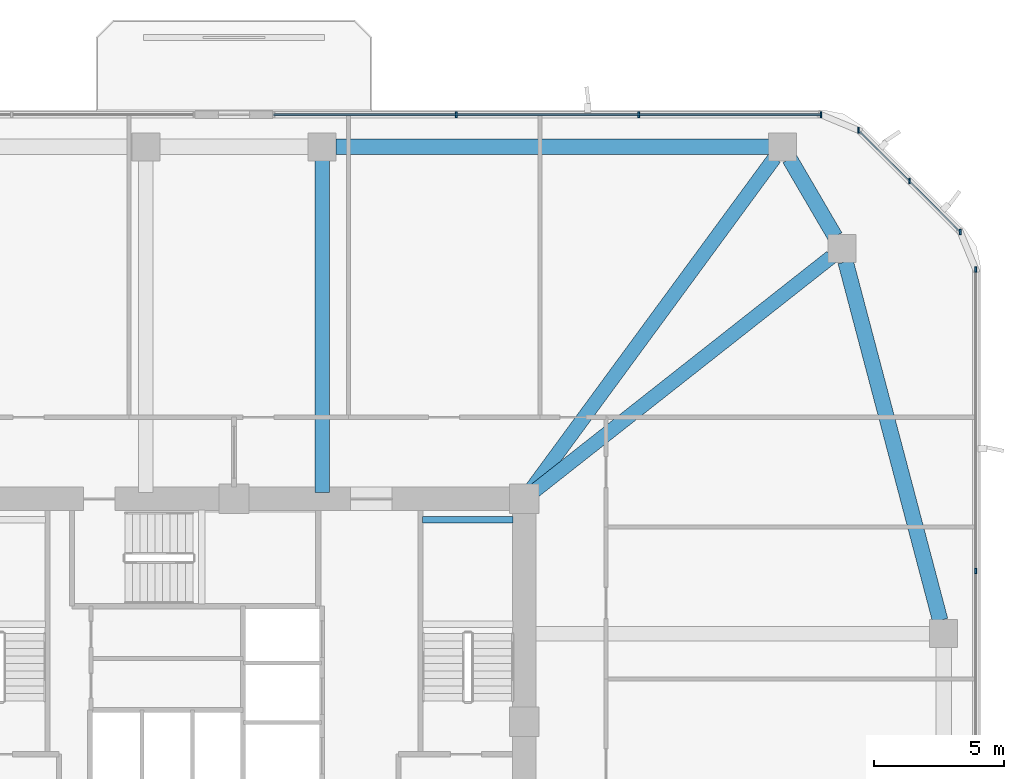
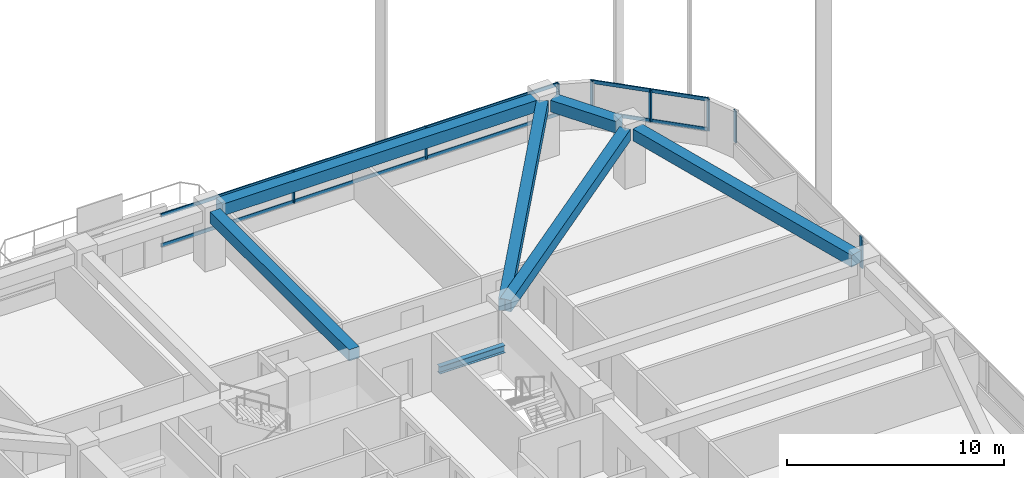
# One storey, part 7 of 17: 12 members, 7 beams, 3 elements without a shape of their own.
"""IFC4 building model written with IfcOpenShell, lengths in metres."""

from ifc_helpers import new_model, si_unit, derived_unit, direction, frame, origin, origin_2d, place, context, subcontext, project, spatial, rectangle, i_section, extrude, material, material_profile, profile_set, type_object, element, aggregate, save


model = new_model("IFC4")

# Units and contexts
model_context = context("Model", 3, precision=1e-05, world=origin(), true_north=direction((0.0, 1.0)))
body_context = subcontext(model_context, "Body", "Model", "MODEL_VIEW")
ifc_project = project(units=[si_unit("LENGTHUNIT", "METRE"), si_unit("AREAUNIT", "SQUARE_METRE"), si_unit("VOLUMEUNIT", "CUBIC_METRE"), si_unit("PLANEANGLEUNIT", "RADIAN"), si_unit("MASSUNIT", "GRAM", prefix="KILO"), derived_unit("THERMALTRANSMITTANCEUNIT", [(si_unit("POWERUNIT", "WATT"), 1), (si_unit("LENGTHUNIT", "METRE"), -2), (si_unit("THERMODYNAMICTEMPERATUREUNIT", "KELVIN"), -1)])], contexts=[model_context])

# Site, building, storey
site_placement = place(None, origin())
site = spatial("IfcSite", under=ifc_project, at=site_placement, CompositionType="ELEMENT")
building_placement = place(site_placement, origin())
building = spatial("IfcBuilding", under=site, at=building_placement, Name="Koralith Skygarden Medical Center", CompositionType="ELEMENT")
storey_placement = place(building_placement, frame((0.0, 0.0, 67.139892578125)))
storey = spatial("IfcBuildingStorey", under=building, at=storey_placement, Name="L17", CompositionType="ELEMENT", Elevation=67.139892578125)

# Curtain wall, members
ifc_material_1 = material(Name="Clear Laminated Glass", Category="glass")
curtain_wall_type = type_object("IfcCurtainWallType", Name="CW-2 Zone 1 Hurricane Unitised Curtain Wall", PredefinedType="NOTDEFINED", material=ifc_material_1)
curtain_wall_1_placement = place(storey_placement, origin())
curtain_wall_1 = element("IfcCurtainWall", 1, at=curtain_wall_1_placement, inside=storey, type_object=curtain_wall_type, Name="Curtain Wall CW-L17-E", PredefinedType="NOTDEFINED")
ifc_material_2 = material(Name="Aluminium 6063-T6", Category="aluminium")
ifc_material_profile_1 = material_profile(ifc_material_2, rectangle(XDim=0.071044921875, YDim=0.219970703125, at=origin_2d()), Name="MUL71X220")
ifc_profile_set_1 = profile_set([ifc_material_profile_1], Name="Aluminium 6063-T6")
member_type_1 = type_object("IfcMemberType", Name="CW-2 Extruded Mullion 71x220", PredefinedType="MULLION", material=ifc_profile_set_1)
member_1_placement = place(storey_placement, frame((65.6201171875, 31.715087890625, 0.85009765625), z_axis=(0.0, 0.0, 1.0), x_axis=(1.0, 0.0, 0.0)))
member_1 = element("IfcMember", 2, at=member_1_placement, type_object=member_type_1, Name="CW-L17-E Mullion 3", PredefinedType="MULLION", context=body_context, shape_type="SweptSolid", body=[
    extrude(rectangle(XDim=0.071044921875, YDim=0.219970703125, at=origin_2d()), origin(), (0.0, 0.0, 1.0), 1.780029296875),
])
member_2_placement = place(storey_placement, frame((65.6201171875, 43.344970703125, 0.85009765625), z_axis=(0.0, 0.0, 1.0), x_axis=(1.0, 0.0, 0.0)))
member_2 = element("IfcMember", 3, at=member_2_placement, type_object=member_type_1, Name="CW-L17-E Mullion 4", PredefinedType="MULLION", context=body_context, shape_type="SweptSolid", body=[
    extrude(rectangle(XDim=0.071044921875, YDim=0.219970703125, at=origin_2d()), origin(), (0.0, 0.0, 1.0), 1.780029296875),
])
aggregate(curtain_wall_1, [member_1, member_2])

curtain_wall_2_placement = place(storey_placement, origin())
curtain_wall_2 = element("IfcCurtainWall", 4, at=curtain_wall_2_placement, inside=storey, type_object=curtain_wall_type, Name="Curtain Wall CW-L17-NE", PredefinedType="NOTDEFINED")
member_3_placement = place(storey_placement, frame((65.01904296875, 44.7958984375, 0.85009765625), z_axis=(0.0, 0.0, 1.0), x_axis=(1.0, 0.0, 0.0)))
member_3 = element("IfcMember", 5, at=member_3_placement, type_object=member_type_1, Name="CW-L17-NE Mullion 1", PredefinedType="MULLION", context=body_context, shape_type="SweptSolid", body=[
    extrude(rectangle(XDim=0.071044921875, YDim=0.219970703125, at=origin_2d()), origin(), (0.0, 0.0, 1.0), 1.780029296875),
])
member_4_placement = place(storey_placement, frame((63.05810546875, 46.758056640625, 0.85009765625), z_axis=(0.0, 0.0, 1.0), x_axis=(1.0, 0.0, 0.0)))
member_4 = element("IfcMember", 6, at=member_4_placement, type_object=member_type_1, Name="CW-L17-NE Mullion 2", PredefinedType="MULLION", context=body_context, shape_type="SweptSolid", body=[
    extrude(rectangle(XDim=0.071044921875, YDim=0.219970703125, at=origin_2d()), origin(), (0.0, 0.0, 1.0), 1.780029296875),
])
member_5_placement = place(storey_placement, frame((61.095947265625, 48.718994140625, 0.85009765625), z_axis=(0.0, 0.0, 1.0), x_axis=(1.0, 0.0, 0.0)))
member_5 = element("IfcMember", 7, at=member_5_placement, type_object=member_type_1, Name="CW-L17-NE Mullion 3", PredefinedType="MULLION", context=body_context, shape_type="SweptSolid", body=[
    extrude(rectangle(XDim=0.071044921875, YDim=0.219970703125, at=origin_2d()), origin(), (0.0, 0.0, 1.0), 1.780029296875),
])

curtain_wall_3_placement = place(storey_placement, origin())
curtain_wall_3 = element("IfcCurtainWall", 8, at=curtain_wall_3_placement, inside=storey, type_object=curtain_wall_type, Name="Curtain Wall CW-L17-N-L", PredefinedType="NOTDEFINED")
member_6_placement = place(storey_placement, frame((59.64501953125, 49.320068359375, 0.85009765625), z_axis=(0.0, 0.0, 1.0), x_axis=(1.0, 0.0, 0.0)))
member_6 = element("IfcMember", 9, at=member_6_placement, type_object=member_type_1, Name="CW-L17-N-L Mullion 1", PredefinedType="MULLION", context=body_context, shape_type="SweptSolid", body=[
    extrude(rectangle(XDim=0.071044921875, YDim=0.219970703125, at=origin_2d()), origin(), (0.0, 0.0, 1.0), 1.780029296875),
])
member_7_placement = place(storey_placement, frame((52.610107421875, 49.320068359375, 0.85009765625), z_axis=(0.0, 0.0, 1.0), x_axis=(1.0, 0.0, 0.0)))
member_7 = element("IfcMember", 10, at=member_7_placement, type_object=member_type_1, Name="CW-L17-N-L Mullion 2", PredefinedType="MULLION", context=body_context, shape_type="SweptSolid", body=[
    extrude(rectangle(XDim=0.071044921875, YDim=0.219970703125, at=origin_2d()), origin(), (0.0, 0.0, 1.0), 1.780029296875),
])
member_8_placement = place(storey_placement, frame((45.574951171875, 49.320068359375, 0.85009765625), z_axis=(0.0, 0.0, 1.0), x_axis=(1.0, 0.0, 0.0)))
member_8 = element("IfcMember", 11, at=member_8_placement, type_object=member_type_1, Name="CW-L17-N-L Mullion 3", PredefinedType="MULLION", context=body_context, shape_type="SweptSolid", body=[
    extrude(rectangle(XDim=0.071044921875, YDim=0.219970703125, at=origin_2d()), origin(), (0.0, 0.0, 1.0), 1.780029296875),
])

# Member
ifc_material_profile_2 = material_profile(ifc_material_2, rectangle(XDim=0.06591796875, YDim=0.197998046875, at=origin_2d()), Name="TRN66X198")
ifc_profile_set_2 = profile_set([ifc_material_profile_2], Name="Aluminium 6063-T6")
member_type_2 = type_object("IfcMemberType", Name="CW-2 Thermal Transom 66x198", PredefinedType="USERDEFINED", material=ifc_profile_set_2)
member_9_placement = place(storey_placement, frame((65.01904296875, 44.7958984375, 0.900146484375), z_axis=(-0.707106781187, 0.707106781187, 0.0), x_axis=(-0.707106781187, -0.707106781187, 0.0)))
member_9 = element("IfcMember", 12, at=member_9_placement, type_object=member_type_2, Name="CW-L17-NE Transom 1", ObjectType="TRANSOM", PredefinedType="USERDEFINED", context=body_context, shape_type="SweptSolid", body=[
    extrude(rectangle(XDim=0.06591796875, YDim=0.197998046875, at=origin_2d()), origin(), (0.0, 0.0, 1.0), 5.548095703125),
])

member_10_placement = place(storey_placement, frame((65.01904296875, 44.7958984375, 2.580078125), z_axis=(-0.707106781187, 0.707106781187, 0.0), x_axis=(-0.707106781187, -0.707106781187, 0.0)))
member_10 = element("IfcMember", 13, at=member_10_placement, type_object=member_type_2, Name="CW-L17-NE Transom 2", ObjectType="TRANSOM", PredefinedType="USERDEFINED", context=body_context, shape_type="SweptSolid", body=[
    extrude(rectangle(XDim=0.06591796875, YDim=0.197998046875, at=origin_2d()), origin(), (0.0, 0.0, 1.0), 5.548095703125),
])

aggregate(curtain_wall_2, [member_3, member_4, member_5, member_9, member_10])

member_11_placement = place(storey_placement, frame((59.64501953125, 49.320068359375, 0.900146484375), z_axis=(-1.0, 0.0, 0.0), x_axis=(0.0, -1.0, 0.0)))
member_11 = element("IfcMember", 14, at=member_11_placement, type_object=member_type_2, Name="CW-L17-N-L Transom 1", ObjectType="TRANSOM", PredefinedType="USERDEFINED", context=body_context, shape_type="SweptSolid", body=[
    extrude(rectangle(XDim=0.06591796875, YDim=0.197998046875, at=origin_2d()), origin(), (0.0, 0.0, 1.0), 21.10498046875),
])

member_12_placement = place(storey_placement, frame((59.64501953125, 49.320068359375, 2.580078125), z_axis=(-1.0, 0.0, 0.0), x_axis=(0.0, -1.0, 0.0)))
member_12 = element("IfcMember", 15, at=member_12_placement, type_object=member_type_2, Name="CW-L17-N-L Transom 2", ObjectType="TRANSOM", PredefinedType="USERDEFINED", context=body_context, shape_type="SweptSolid", body=[
    extrude(rectangle(XDim=0.06591796875, YDim=0.197998046875, at=origin_2d()), origin(), (0.0, 0.0, 1.0), 21.10498046875),
])

aggregate(curtain_wall_3, [member_6, member_7, member_8, member_11, member_12])

# Beams
ifc_material_3 = material(Name="Steel ASTM A992 Grade 50", Category="steel")
ifc_material_profile_3 = material_profile(ifc_material_3, i_section(OverallWidth=0.260009765625, OverallDepth=0.4150390625, WebThickness=0.010009765625, FlangeThickness=0.016845703125, at=origin_2d()), Name="W16X67")
ifc_profile_set_3 = profile_set([ifc_material_profile_3], Name="Steel ASTM A992 Grade 50")
beam_type_1 = type_object("IfcBeamType", Name="Clinical Floor Joist W16X67", PredefinedType="JOIST", material=ifc_profile_set_3)
beam_1_placement = place(storey_placement, frame((44.280029296875, 33.699951171875, 1.39208984375), z_axis=(1.0, 0.0, 0.0), x_axis=(0.0, 1.0, 0.0)))
element("IfcBeam", 16, at=beam_1_placement, inside=storey, type_object=beam_type_1, Name="L17 Stair ST2 Half-Landing Support Beam 1B", PredefinedType="JOIST", context=body_context, shape_type="SweptSolid", body=[
    extrude(i_section(OverallWidth=0.260009765625, OverallDepth=0.4150390625, WebThickness=0.010009765625, FlangeThickness=0.016845703125, at=origin_2d()), origin(), (0.0, 0.0, 1.0), 3.489990234375),
])
ifc_material_4 = material(Name="Concrete C45/55", Category="concrete")
ifc_material_profile_4 = material_profile(ifc_material_4, rectangle(XDim=0.550048828125, YDim=0.639892578125, at=origin_2d()), Name="RCB550X640")
ifc_profile_set_4 = profile_set([ifc_material_profile_4], Name="Concrete C45/55")
beam_type_2 = type_object("IfcBeamType", Name="Radial Collector Beam RCB550X640", PredefinedType="BEAM", material=ifc_profile_set_4)
beam_2_placement = place(storey_placement, frame((48.39599609375, 34.655029296875, 2.980224609375), z_axis=(0.785497250365, 0.618865146594, 0.0), x_axis=(-0.618865146594, 0.785497250365, 0.0)))
element("IfcBeam", 17, at=beam_2_placement, inside=storey, type_object=beam_type_2, Name="L17 Radial Collector Beam RB-10", PredefinedType="BEAM", context=body_context, shape_type="SweptSolid", body=[
    extrude(rectangle(XDim=0.550048828125, YDim=0.639892578125, at=origin_2d()), origin(), (0.0, 0.0, 1.0), 14.828857421875),
])
beam_3_placement = place(storey_placement, frame((48.347900390625, 34.701904296875, 2.980224609375), z_axis=(0.591710803277, 0.806150311843, 0.0), x_axis=(-0.806150311843, 0.591710803277, 0.0)))
element("IfcBeam", 18, at=beam_3_placement, inside=storey, type_object=beam_type_2, Name="L17 Radial Collector Beam RB-11", PredefinedType="BEAM", context=body_context, shape_type="SweptSolid", body=[
    extrude(rectangle(XDim=0.550048828125, YDim=0.639892578125, at=origin_2d()), origin(), (0.0, 0.0, 1.0), 16.0654296875),
])
beam_4_placement = place(storey_placement, frame((40.39990234375, 34.75, 2.980224609375), z_axis=(0.0, 1.0, 0.0), x_axis=(-1.0, 0.0, 0.0)))
element("IfcBeam", 19, at=beam_4_placement, inside=storey, type_object=beam_type_2, Name="L17 Radial Collector Beam RB-12", PredefinedType="BEAM", context=body_context, shape_type="SweptSolid", body=[
    extrude(rectangle(XDim=0.550048828125, YDim=0.639892578125, at=origin_2d()), origin(), (0.0, 0.0, 1.0), 12.800048828125),
])
ifc_material_profile_5 = material_profile(ifc_material_4, rectangle(XDim=0.60009765625, YDim=0.659912109375, at=origin_2d()), Name="RCB600X660")
ifc_profile_set_5 = profile_set([ifc_material_profile_5], Name="Concrete C45/55")
beam_type_3 = type_object("IfcBeamType", Name="Zone 1 Spandrel Beam RCB600X660", PredefinedType="SPANDREL", material=ifc_profile_set_5)
beam_5_placement = place(storey_placement, frame((64.2451171875, 29.81201171875, 2.97021484375), z_axis=(-0.255088684842, 0.966917660851, 0.0), x_axis=(-0.966917660851, -0.255088684842, 0.0)))
element("IfcBeam", 20, at=beam_5_placement, inside=storey, type_object=beam_type_3, Name="L17 Perimeter Spandrel Beam SP-09", PredefinedType="SPANDREL", context=body_context, shape_type="SweptSolid", body=[
    extrude(rectangle(XDim=0.60009765625, YDim=0.659912109375, at=origin_2d()), origin(), (0.0, 0.0, 1.0), 14.309326171875),
])
beam_6_placement = place(storey_placement, frame((60.19189453125, 44.617919921875, 2.97021484375), z_axis=(-0.504608092658, 0.863348523381, 0.0), x_axis=(-0.863348523381, -0.504608092658, 0.0)))
element("IfcBeam", 21, at=beam_6_placement, inside=storey, type_object=beam_type_3, Name="L17 Perimeter Spandrel Beam SP-10", PredefinedType="SPANDREL", context=body_context, shape_type="SweptSolid", body=[
    extrude(rectangle(XDim=0.60009765625, YDim=0.659912109375, at=origin_2d()), origin(), (0.0, 0.0, 1.0), 3.479736328125),
])
beam_7_placement = place(storey_placement, frame((57.637939453125, 48.080078125, 2.97021484375), z_axis=(-1.0, 0.0, 0.0), x_axis=(0.0, -1.0, 0.0)))
element("IfcBeam", 22, at=beam_7_placement, inside=storey, type_object=beam_type_3, Name="L17 Perimeter Spandrel Beam SP-11", PredefinedType="SPANDREL", context=body_context, shape_type="SweptSolid", body=[
    extrude(rectangle(XDim=0.60009765625, YDim=0.659912109375, at=origin_2d()), origin(), (0.0, 0.0, 1.0), 16.7080078125),
])

save(model, "model.ifc")
